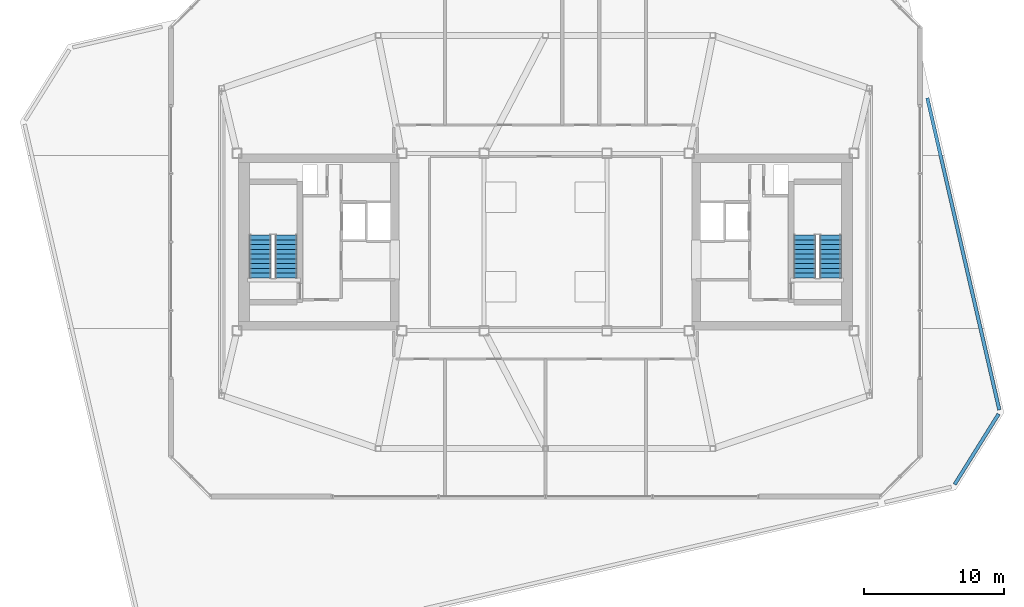
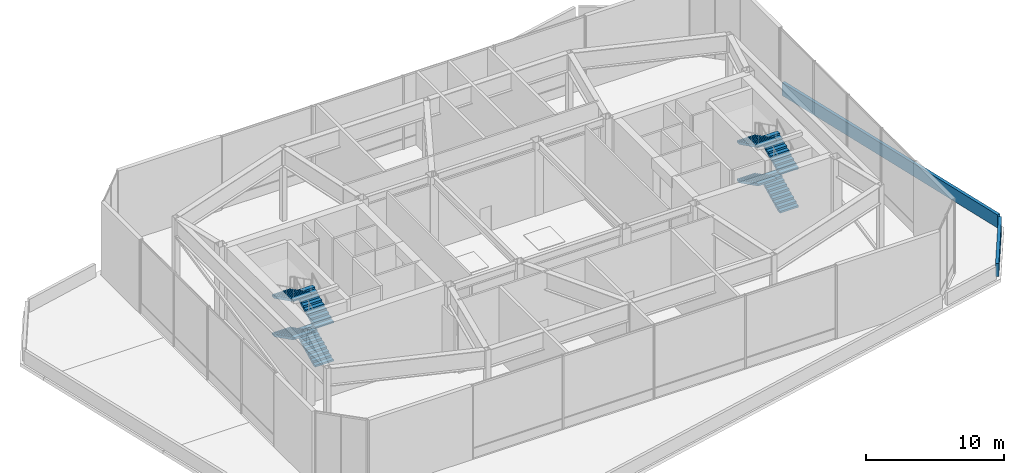
# One storey, part 22 of 25: 8 stair flights, 2 walls, 2 elements without a shape of their own.
"""IFC4 building model written with IfcOpenShell, lengths in metres."""

from ifc_helpers import new_model, si_unit, direction, frame, frame_2d, origin, place, context, subcontext, project, spatial, polyline, rectangle, outline, extrude, material, layer, layer_set, type_object, element, aggregate, save


model = new_model("IFC4")

# Units and contexts
model_context = context("Model", 3, precision=1e-05, world=origin(), true_north=direction((0.0, 1.0)))
body_context = subcontext(model_context, "Body", "Model", "MODEL_VIEW")
ifc_project = project(units=[si_unit("LENGTHUNIT", "METRE"), si_unit("AREAUNIT", "SQUARE_METRE"), si_unit("VOLUMEUNIT", "CUBIC_METRE"), si_unit("PLANEANGLEUNIT", "RADIAN"), si_unit("MASSUNIT", "GRAM", prefix="KILO")], contexts=[model_context])

# Site, building, storey
site_placement = place(None, origin())
site = spatial("IfcSite", under=ifc_project, at=site_placement, CompositionType="ELEMENT")
building_placement = place(site_placement, origin())
building = spatial("IfcBuilding", under=site, at=building_placement, Name="Tavrogorsk Clinical Tower", CompositionType="ELEMENT")
storey_placement = place(building_placement, frame((0.0, 0.0, 333.0)))
storey = spatial("IfcBuildingStorey", under=building, at=storey_placement, Name="L78", CompositionType="ELEMENT", Elevation=333.0)

# Walls
ifc_material_1 = material(Name="Concrete B60", Category="concrete")
ifc_layer = layer(ifc_material_1, 0.25)
ifc_layer_set = layer_set([ifc_layer], Name="Concrete B60")
wall_type = type_object("IfcWallType", Name="RoofParapetWall_250", PredefinedType="PARAPET", material=ifc_layer_set)
wall_1_placement = place(storey_placement, frame((27.35595703125, 10.321044921875, 0.0), z_axis=(0.0, 0.0, 1.0), x_axis=(0.224955106174, -0.974369129338, 0.0)))
element("IfcWall", 1, at=wall_1_placement, inside=storey, type_object=wall_type, Name="L78 Setback Coping Parapet 8", PredefinedType="PARAPET", context=body_context, shape_type="SweptSolid", body=[
    extrude(rectangle(XDim=22.940673828125, YDim=0.25, at=frame_2d((11.47021484375, 0.0))), origin(), (0.0, 0.0, 1.0), 1.14990234375),
])
wall_2_placement = place(storey_placement, frame((32.4677734375, -12.3232421875, 0.0), z_axis=(0.0, 0.0, 1.0), x_axis=(-0.529910469572, -0.848053591607, 0.0)))
element("IfcWall", 2, at=wall_2_placement, inside=storey, type_object=wall_type, Name="L78 Setback Coping Parapet 9", PredefinedType="PARAPET", context=body_context, shape_type="SweptSolid", body=[
    extrude(rectangle(XDim=5.953369140625, YDim=0.25, at=frame_2d((2.9765625, 0.0))), origin(), (0.0, 0.0, 1.0), 1.14990234375),
])

# Stair, stair flights
ifc_material_2 = material(Name="Concrete B60", Category="concrete")
stair_type = type_object("IfcStairType", Name="CoreStairAssembly", PredefinedType="HALF_TURN_STAIR", material=ifc_material_2)
stair_1_placement = place(storey_placement, origin())
stair_1 = element("IfcStair", 3, at=stair_1_placement, inside=storey, type_object=stair_type, Name="L78 ST-W", PredefinedType="HALF_TURN_STAIR")
ifc_material_3 = material(Name="Concrete B60", Category="concrete")
stair_flight_type = type_object("IfcStairFlightType", Name="CoreStairFlight", PredefinedType="STRAIGHT", material=ifc_material_3)
stair_flight_1_placement = place(storey_placement, frame((-18.574951171875, -2.574951171875, 0.0), z_axis=(0.0, 0.0, 1.0), x_axis=(0.0, 1.0, 0.0)))
stair_flight_1 = element("IfcStairFlight", 4, at=stair_flight_1_placement, type_object=stair_flight_type, Name="ST-W flight 1", NumberOfRisers=10, NumberOfTreads=9, PredefinedType="STRAIGHT", RiserHeight=0.17, TreadLength=0.34, context=body_context, shape_type="SweptSolid", body=[
    extrude(outline(polyline([(0.0, 0.0), (0.0, 0.169921875), (0.340087890625, 0.169921875), (0.340087890625, 0.340087890625), (0.679931640625, 0.340087890625), (0.679931640625, 0.510009765625), (1.02001953125, 0.510009765625), (1.02001953125, 0.679931640625), (1.360107421875, 0.679931640625), (1.360107421875, 0.85009765625), (1.699951171875, 0.85009765625), (1.699951171875, 1.02001953125), (2.0400390625, 1.02001953125), (2.0400390625, 1.18994140625), (2.3798828125, 1.18994140625), (2.3798828125, 1.360107421875), (2.719970703125, 1.360107421875), (2.719970703125, 1.530029296875), (3.06005859375, 1.530029296875), (3.06005859375, 1.699951171875), (3.06005859375, 1.3623046875), (0.335205078125, 0.0), (0.0, 0.0)])), frame((0.0, 0.77490234375, 0.0), z_axis=(0.0, -1.0, 0.0), x_axis=(1.0, 0.0, 0.0)), (0.0, 0.0, 1.0), 1.550048828125),
])
stair_flight_2_placement = place(storey_placement, frame((-20.425048828125, 0.485107421875, 1.699951171875), z_axis=(0.0, 0.0, 1.0), x_axis=(0.0, -1.0, 0.0)))
stair_flight_2 = element("IfcStairFlight", 5, at=stair_flight_2_placement, type_object=stair_flight_type, Name="ST-W flight 2", NumberOfRisers=10, NumberOfTreads=9, PredefinedType="STRAIGHT", RiserHeight=0.17, TreadLength=0.34, context=body_context, shape_type="SweptSolid", body=[
    extrude(outline(polyline([(0.0, 0.0), (0.0, 0.169921875), (0.340087890625, 0.169921875), (0.340087890625, 0.340087890625), (0.679931640625, 0.340087890625), (0.679931640625, 0.510009765625), (1.02001953125, 0.510009765625), (1.02001953125, 0.679931640625), (1.360107421875, 0.679931640625), (1.360107421875, 0.85009765625), (1.699951171875, 0.85009765625), (1.699951171875, 1.02001953125), (2.0400390625, 1.02001953125), (2.0400390625, 1.18994140625), (2.3798828125, 1.18994140625), (2.3798828125, 1.360107421875), (2.719970703125, 1.360107421875), (2.719970703125, 1.530029296875), (3.06005859375, 1.530029296875), (3.06005859375, 1.699951171875), (3.06005859375, 1.3623046875), (0.335205078125, 0.0), (0.0, 0.0)])), frame((0.0, 0.77490234375, 0.0), z_axis=(0.0, -1.0, 0.0), x_axis=(1.0, 0.0, 0.0)), (0.0, 0.0, 1.0), 1.550048828125),
])
stair_flight_3_placement = place(storey_placement, frame((-18.574951171875, -2.574951171875, 3.39990234375), z_axis=(0.0, 0.0, 1.0), x_axis=(0.0, 1.0, 0.0)))
stair_flight_3 = element("IfcStairFlight", 6, at=stair_flight_3_placement, type_object=stair_flight_type, Name="ST-W flight 3", NumberOfRisers=10, NumberOfTreads=9, PredefinedType="STRAIGHT", RiserHeight=0.17, TreadLength=0.34, context=body_context, shape_type="SweptSolid", body=[
    extrude(outline(polyline([(0.0, 0.0), (0.0, 0.169921875), (0.340087890625, 0.169921875), (0.340087890625, 0.340087890625), (0.679931640625, 0.340087890625), (0.679931640625, 0.510009765625), (1.02001953125, 0.510009765625), (1.02001953125, 0.679931640625), (1.360107421875, 0.679931640625), (1.360107421875, 0.85009765625), (1.699951171875, 0.85009765625), (1.699951171875, 1.02001953125), (2.0400390625, 1.02001953125), (2.0400390625, 1.18994140625), (2.3798828125, 1.18994140625), (2.3798828125, 1.360107421875), (2.719970703125, 1.360107421875), (2.719970703125, 1.530029296875), (3.06005859375, 1.530029296875), (3.06005859375, 1.699951171875), (3.06005859375, 1.3623046875), (0.335205078125, 0.0), (0.0, 0.0)])), frame((0.0, 0.77490234375, 0.0), z_axis=(0.0, -1.0, 0.0), x_axis=(1.0, 0.0, 0.0)), (0.0, 0.0, 1.0), 1.550048828125),
])
stair_flight_4_placement = place(storey_placement, frame((-20.425048828125, 0.485107421875, 5.10009765625), z_axis=(0.0, 0.0, 1.0), x_axis=(0.0, -1.0, 0.0)))
stair_flight_4 = element("IfcStairFlight", 7, at=stair_flight_4_placement, type_object=stair_flight_type, Name="ST-W flight 4", NumberOfRisers=10, NumberOfTreads=9, PredefinedType="STRAIGHT", RiserHeight=0.17, TreadLength=0.34, context=body_context, shape_type="SweptSolid", body=[
    extrude(outline(polyline([(0.0, 0.0), (0.0, 0.169921875), (0.340087890625, 0.169921875), (0.340087890625, 0.340087890625), (0.679931640625, 0.340087890625), (0.679931640625, 0.510009765625), (1.02001953125, 0.510009765625), (1.02001953125, 0.679931640625), (1.360107421875, 0.679931640625), (1.360107421875, 0.85009765625), (1.699951171875, 0.85009765625), (1.699951171875, 1.02001953125), (2.0400390625, 1.02001953125), (2.0400390625, 1.18994140625), (2.3798828125, 1.18994140625), (2.3798828125, 1.360107421875), (2.719970703125, 1.360107421875), (2.719970703125, 1.530029296875), (3.06005859375, 1.530029296875), (3.06005859375, 1.699951171875), (3.06005859375, 1.3623046875), (0.335205078125, 0.0), (0.0, 0.0)])), frame((0.0, 0.77490234375, 0.0), z_axis=(0.0, -1.0, 0.0), x_axis=(1.0, 0.0, 0.0)), (0.0, 0.0, 1.0), 1.550048828125),
])
aggregate(stair_1, [stair_flight_1, stair_flight_2, stair_flight_3, stair_flight_4])

stair_2_placement = place(storey_placement, origin())
stair_2 = element("IfcStair", 8, at=stair_2_placement, inside=storey, type_object=stair_type, Name="L78 ST-E", PredefinedType="HALF_TURN_STAIR")
stair_flight_5_placement = place(storey_placement, frame((20.425048828125, -2.574951171875, 0.0), z_axis=(0.0, 0.0, 1.0), x_axis=(0.0, 1.0, 0.0)))
stair_flight_5 = element("IfcStairFlight", 9, at=stair_flight_5_placement, type_object=stair_flight_type, Name="ST-E flight 1", NumberOfRisers=10, NumberOfTreads=9, PredefinedType="STRAIGHT", RiserHeight=0.17, TreadLength=0.34, context=body_context, shape_type="SweptSolid", body=[
    extrude(outline(polyline([(0.0, 0.0), (0.0, 0.169921875), (0.340087890625, 0.169921875), (0.340087890625, 0.340087890625), (0.679931640625, 0.340087890625), (0.679931640625, 0.510009765625), (1.02001953125, 0.510009765625), (1.02001953125, 0.679931640625), (1.360107421875, 0.679931640625), (1.360107421875, 0.85009765625), (1.699951171875, 0.85009765625), (1.699951171875, 1.02001953125), (2.0400390625, 1.02001953125), (2.0400390625, 1.18994140625), (2.3798828125, 1.18994140625), (2.3798828125, 1.360107421875), (2.719970703125, 1.360107421875), (2.719970703125, 1.530029296875), (3.06005859375, 1.530029296875), (3.06005859375, 1.699951171875), (3.06005859375, 1.3623046875), (0.335205078125, 0.0), (0.0, 0.0)])), frame((0.0, 0.77490234375, 0.0), z_axis=(0.0, -1.0, 0.0), x_axis=(1.0, 0.0, 0.0)), (0.0, 0.0, 1.0), 1.550048828125),
])
stair_flight_6_placement = place(storey_placement, frame((18.574951171875, 0.485107421875, 1.699951171875), z_axis=(0.0, 0.0, 1.0), x_axis=(0.0, -1.0, 0.0)))
stair_flight_6 = element("IfcStairFlight", 10, at=stair_flight_6_placement, type_object=stair_flight_type, Name="ST-E flight 2", NumberOfRisers=10, NumberOfTreads=9, PredefinedType="STRAIGHT", RiserHeight=0.17, TreadLength=0.34, context=body_context, shape_type="SweptSolid", body=[
    extrude(outline(polyline([(0.0, 0.0), (0.0, 0.169921875), (0.340087890625, 0.169921875), (0.340087890625, 0.340087890625), (0.679931640625, 0.340087890625), (0.679931640625, 0.510009765625), (1.02001953125, 0.510009765625), (1.02001953125, 0.679931640625), (1.360107421875, 0.679931640625), (1.360107421875, 0.85009765625), (1.699951171875, 0.85009765625), (1.699951171875, 1.02001953125), (2.0400390625, 1.02001953125), (2.0400390625, 1.18994140625), (2.3798828125, 1.18994140625), (2.3798828125, 1.360107421875), (2.719970703125, 1.360107421875), (2.719970703125, 1.530029296875), (3.06005859375, 1.530029296875), (3.06005859375, 1.699951171875), (3.06005859375, 1.3623046875), (0.335205078125, 0.0), (0.0, 0.0)])), frame((0.0, 0.77490234375, 0.0), z_axis=(0.0, -1.0, 0.0), x_axis=(1.0, 0.0, 0.0)), (0.0, 0.0, 1.0), 1.550048828125),
])
stair_flight_7_placement = place(storey_placement, frame((20.425048828125, -2.574951171875, 3.39990234375), z_axis=(0.0, 0.0, 1.0), x_axis=(0.0, 1.0, 0.0)))
stair_flight_7 = element("IfcStairFlight", 11, at=stair_flight_7_placement, type_object=stair_flight_type, Name="ST-E flight 3", NumberOfRisers=10, NumberOfTreads=9, PredefinedType="STRAIGHT", RiserHeight=0.17, TreadLength=0.34, context=body_context, shape_type="SweptSolid", body=[
    extrude(outline(polyline([(0.0, 0.0), (0.0, 0.169921875), (0.340087890625, 0.169921875), (0.340087890625, 0.340087890625), (0.679931640625, 0.340087890625), (0.679931640625, 0.510009765625), (1.02001953125, 0.510009765625), (1.02001953125, 0.679931640625), (1.360107421875, 0.679931640625), (1.360107421875, 0.85009765625), (1.699951171875, 0.85009765625), (1.699951171875, 1.02001953125), (2.0400390625, 1.02001953125), (2.0400390625, 1.18994140625), (2.3798828125, 1.18994140625), (2.3798828125, 1.360107421875), (2.719970703125, 1.360107421875), (2.719970703125, 1.530029296875), (3.06005859375, 1.530029296875), (3.06005859375, 1.699951171875), (3.06005859375, 1.3623046875), (0.335205078125, 0.0), (0.0, 0.0)])), frame((0.0, 0.77490234375, 0.0), z_axis=(0.0, -1.0, 0.0), x_axis=(1.0, 0.0, 0.0)), (0.0, 0.0, 1.0), 1.550048828125),
])
stair_flight_8_placement = place(storey_placement, frame((18.574951171875, 0.485107421875, 5.10009765625), z_axis=(0.0, 0.0, 1.0), x_axis=(0.0, -1.0, 0.0)))
stair_flight_8 = element("IfcStairFlight", 12, at=stair_flight_8_placement, type_object=stair_flight_type, Name="ST-E flight 4", NumberOfRisers=10, NumberOfTreads=9, PredefinedType="STRAIGHT", RiserHeight=0.17, TreadLength=0.34, context=body_context, shape_type="SweptSolid", body=[
    extrude(outline(polyline([(0.0, 0.0), (0.0, 0.169921875), (0.340087890625, 0.169921875), (0.340087890625, 0.340087890625), (0.679931640625, 0.340087890625), (0.679931640625, 0.510009765625), (1.02001953125, 0.510009765625), (1.02001953125, 0.679931640625), (1.360107421875, 0.679931640625), (1.360107421875, 0.85009765625), (1.699951171875, 0.85009765625), (1.699951171875, 1.02001953125), (2.0400390625, 1.02001953125), (2.0400390625, 1.18994140625), (2.3798828125, 1.18994140625), (2.3798828125, 1.360107421875), (2.719970703125, 1.360107421875), (2.719970703125, 1.530029296875), (3.06005859375, 1.530029296875), (3.06005859375, 1.699951171875), (3.06005859375, 1.3623046875), (0.335205078125, 0.0), (0.0, 0.0)])), frame((0.0, 0.77490234375, 0.0), z_axis=(0.0, -1.0, 0.0), x_axis=(1.0, 0.0, 0.0)), (0.0, 0.0, 1.0), 1.550048828125),
])
aggregate(stair_2, [stair_flight_5, stair_flight_6, stair_flight_7, stair_flight_8])

save(model, "model.ifc")
